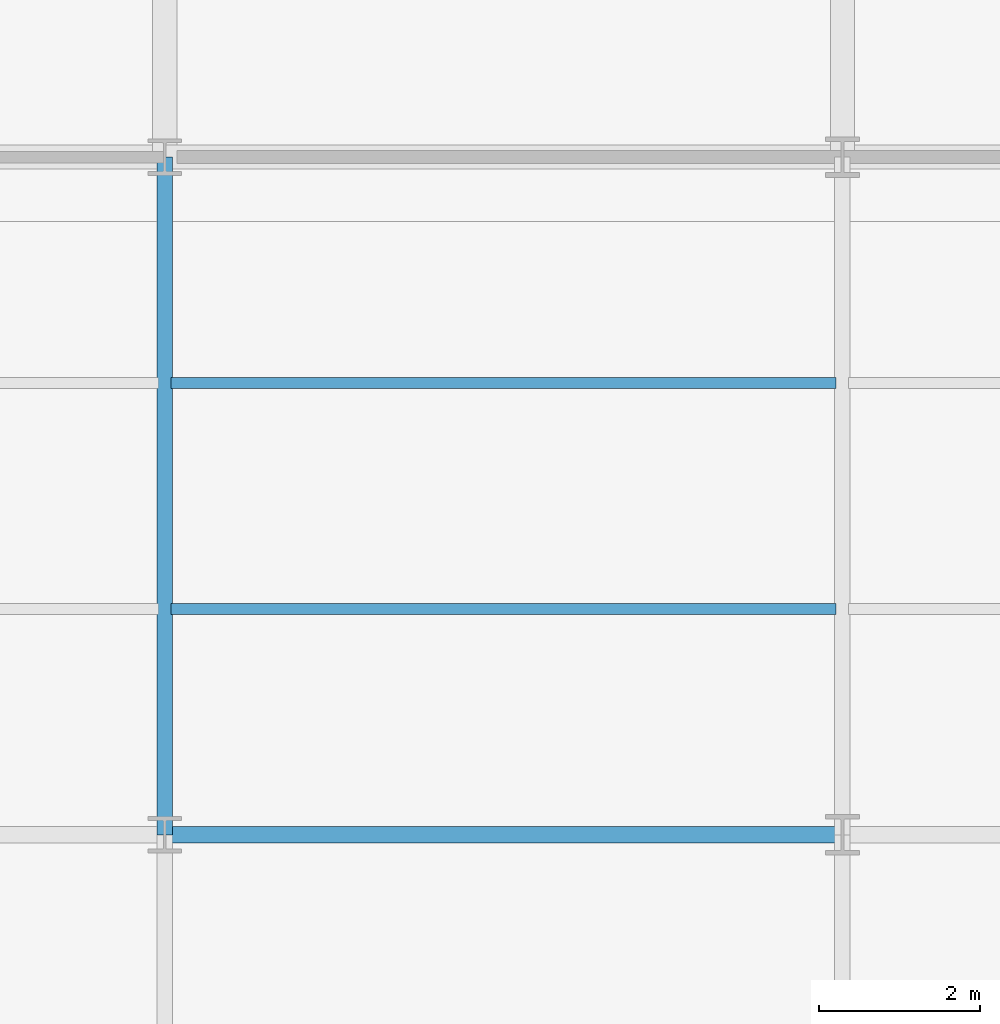
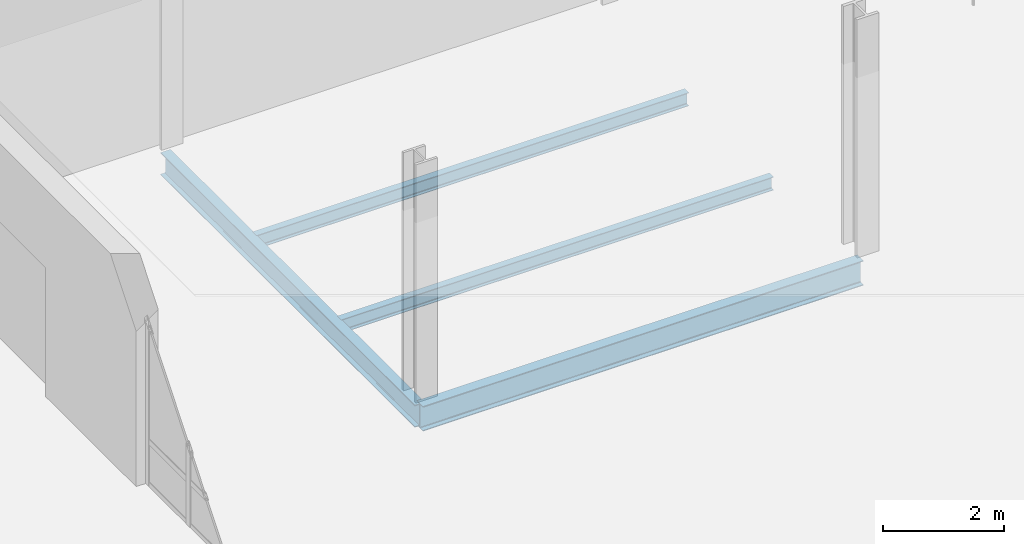
# One storey, part 32 of 145: 4 beams.
"""IFC4 building model written with IfcOpenShell, lengths in metres."""

import ifcopenshell
import ifcopenshell.guid

model = None  # the IFC model being written
_history = None  # IfcOwnerHistory: only IFC2X3 demands one
_inside = {}  # id of a spatial element -> (the spatial element, [elements in it])
_under = {}  # id of a project, library or spatial element -> (it, [spatial elements below it])
_declared = {}  # id of a project -> (the project, [libraries it declares])
_typed = {}  # id of a type object -> (the type object, [elements of that type])
_made_of = {}  # id of a material, layer set ... -> (it, [elements and type objects made of it])


def new_model(schema):
    """Start an empty IFC model of exactly this schema.

    Asked for "IFC4X3", IfcOpenShell would pick the latest addendum, in which some entities
    have other attributes; the version numbers below select the first issue.
    IFC2X3 requires an IfcOwnerHistory on every rooted entity: one is made here for all.
    """
    global model, _history
    if schema == "IFC4X3":
        model = ifcopenshell.file(schema_version=(4, 3, 0, 0))
    else:
        model = ifcopenshell.file(schema=schema)
    _inside.clear()
    _under.clear()
    _declared.clear()
    _typed.clear()
    _made_of.clear()
    _history = None
    if model.schema == "IFC2X3":
        org = make("IfcOrganization", Name="unknown")
        user = make(
            "IfcPersonAndOrganization",
            ThePerson=make("IfcPerson", FamilyName="unknown"),
            TheOrganization=org,
        )
        app = make(
            "IfcApplication",
            ApplicationDeveloper=org,
            Version="unknown",
            ApplicationFullName="unknown",
            ApplicationIdentifier="unknown",
        )
        _history = make(
            "IfcOwnerHistory",
            OwningUser=user,
            OwningApplication=app,
            ChangeAction="ADDED",
            CreationDate=0,
        )
    return model


def make(cls, **values):
    """One entity of the class cls with the attributes given. An attribute that is None is left unset."""
    return model.create_entity(
        cls, **{name: value for name, value in values.items() if value is not None}
    )


def rooted(cls, **values):
    """An entity with a GlobalId (a new one), such as an element, a storey or a relation."""
    return make(cls, GlobalId=ifcopenshell.guid.new(), OwnerHistory=_history, **values)


def si_unit(unit_type, name, prefix=None):
    """IfcSIUnit, for example si_unit("LENGTHUNIT", "METRE", prefix="MILLI")."""
    return make("IfcSIUnit", UnitType=unit_type, Prefix=prefix, Name=name)


def assignment(units):
    """IfcUnitAssignment: the units of a project."""
    return None if units is None else make("IfcUnitAssignment", Units=units)


def point(xyz):
    """IfcCartesianPoint."""
    return None if xyz is None else make("IfcCartesianPoint", Coordinates=xyz)


def direction(xyz):
    """IfcDirection."""
    return None if xyz is None else make("IfcDirection", DirectionRatios=xyz)


def frame(location, z_axis=None, x_axis=None):
    """IfcAxis2Placement3D, a coordinate frame: its origin and axes. An axis left out is left unset."""
    return make(
        "IfcAxis2Placement3D",
        Location=point(location),
        Axis=direction(z_axis),
        RefDirection=direction(x_axis),
    )


def frame_2d(location, x_axis=None):
    """IfcAxis2Placement2D, a coordinate frame in the plane: its origin and x axis."""
    return make(
        "IfcAxis2Placement2D", Location=point(location), RefDirection=direction(x_axis)
    )


def origin():
    """The frame at (0, 0, 0) with its axes left unset."""
    return frame((0.0, 0.0, 0.0))


def origin_2d():
    """The frame at (0, 0) in the plane with its x axis left unset."""
    return frame_2d((0.0, 0.0))


def place(relative_to, where):
    """IfcLocalPlacement: puts the frame where relative to a parent placement (None: the world)."""
    return make(
        "IfcLocalPlacement", PlacementRelTo=relative_to, RelativePlacement=where
    )


def context(
    kind, dimensions, precision=None, world=None, true_north=None, identifier=None
):
    """IfcGeometricRepresentationContext, for example the 3D "Model" context."""
    return make(
        "IfcGeometricRepresentationContext",
        ContextIdentifier=identifier,
        ContextType=kind,
        CoordinateSpaceDimension=dimensions,
        Precision=precision,
        WorldCoordinateSystem=world,
        TrueNorth=true_north,
    )


def subcontext(parent, identifier, kind, view, scale=None):
    """IfcGeometricRepresentationSubContext, for example "Body" below "Model"."""
    return make(
        "IfcGeometricRepresentationSubContext",
        ContextIdentifier=identifier,
        ContextType=kind,
        ParentContext=parent,
        TargetScale=scale,
        TargetView=view,
    )


def project(units=None, contexts=None):
    """IfcProject with its units and contexts."""
    return rooted(
        "IfcProject",
        Name="project",
        RepresentationContexts=contexts,
        UnitsInContext=assignment(units),
    )


def spatial(cls, under=None, at=None, **own):
    """A site, building, storey or space (cls), placed at a placement, below another one or the project."""
    s = rooted(cls, ObjectPlacement=at, **own)
    if under is not None:
        _under.setdefault(under.id(), (under, []))[1].append(s)
    return s


def profile(cls, at=None, kind="AREA", **sizes):
    """A parametric profile (cls). Its sizes go by their IFC names, for example OverallWidth=200.0."""
    return make(cls, ProfileType=kind, Position=at, **sizes)


def i_section(**sizes):
    """IfcIShapeProfileDef."""
    return profile("IfcIShapeProfileDef", **sizes)


def extrude(swept, where, along, depth):
    """IfcExtrudedAreaSolid: the profile swept, set in the frame where, extruded along a direction by depth."""
    return make(
        "IfcExtrudedAreaSolid",
        SweptArea=swept,
        Position=where,
        ExtrudedDirection=direction(along),
        Depth=depth,
    )


def shape(context_of_items, identifier, shape_type, items):
    """IfcShapeRepresentation: the items that make up one representation, for example the "Body"."""
    return make(
        "IfcShapeRepresentation",
        ContextOfItems=context_of_items,
        RepresentationIdentifier=identifier,
        RepresentationType=shape_type,
        Items=items,
    )


def material(Name=None, Category=None):
    """IfcMaterial."""
    return make("IfcMaterial", Name=Name, Category=Category)


def material_profile(
    of_material, cross_section, Name=None, Category=None, Priority=None
):
    """IfcMaterialProfile: a cross section and its material."""
    return make(
        "IfcMaterialProfile",
        Name=Name,
        Material=of_material,
        Profile=cross_section,
        Priority=Priority,
        Category=Category,
    )


def profile_set(profiles, Name=None, composite=None):
    """IfcMaterialProfileSet."""
    return make(
        "IfcMaterialProfileSet",
        Name=Name,
        MaterialProfiles=profiles,
        CompositeProfile=composite,
    )


def made_of(thing, what):
    """Note that an element or type object is made of a material, layer set ...; save() writes the relation."""
    if what is not None:
        _made_of.setdefault(what.id(), (what, []))[1].append(thing)
    return thing


def type_object(cls, material=None, **own):
    """A type object (cls), such as IfcWallType, which elements share."""
    return made_of(rooted(cls, **own), material)


def element(
    cls,
    number,
    at=None,
    inside=None,
    cuts=None,
    type_object=None,
    material=None,
    context=None,
    identifier="Body",
    shape_type=None,
    held_by="IfcProductDefinitionShape",
    body=None,
    shapes=None,
    **own,
):
    """One element of the class cls, such as IfcWall. Its Tag is "e" and its number.

    at: its placement. inside: the storey or other place that contains it. cuts: it is an
    opening in that element (IfcRelVoidsElement). A single representation is given by context,
    identifier, shape_type and body (its items); several are given by shapes. held_by: the class
    of the entity that holds the representations. save() writes the other relations.
    """
    e = rooted(cls, Tag="e%d" % number, ObjectPlacement=at, **own)
    if body is not None:
        shapes = [shape(context, identifier, shape_type, body)]
    if shapes is not None:
        e.Representation = make(held_by, Representations=shapes)
    if inside is not None:
        _inside.setdefault(inside.id(), (inside, []))[1].append(e)
    if cuts is not None:
        rooted(
            "IfcRelVoidsElement", RelatingBuildingElement=cuts, RelatedOpeningElement=e
        )
    if type_object is not None:
        _typed.setdefault(type_object.id(), (type_object, []))[1].append(e)
    return made_of(e, material)


def aggregate(whole, parts):
    """IfcRelAggregates: a whole, such as a stair, and the parts it consists of."""
    return rooted("IfcRelAggregates", RelatingObject=whole, RelatedObjects=parts)


def save(model, path):
    """Write the relations noted so far, then the file.

    IfcRelAggregates (storeys below a building ...), IfcRelContainedInSpatialStructure (elements
    in a storey), IfcRelDefinesByType, IfcRelAssociatesMaterial and IfcRelDeclares: one each for
    every whole, place, type object, material and project.
    """
    for whole, parts in _under.values():
        aggregate(whole, parts)
    for where, things in _inside.values():
        rooted(
            "IfcRelContainedInSpatialStructure",
            RelatedElements=things,
            RelatingStructure=where,
        )
    for kind, things in _typed.values():
        rooted("IfcRelDefinesByType", RelatedObjects=things, RelatingType=kind)
    for what, things in _made_of.values():
        rooted("IfcRelAssociatesMaterial", RelatedObjects=things, RelatingMaterial=what)
    for by, libraries in _declared.values():
        rooted("IfcRelDeclares", RelatingContext=by, RelatedDefinitions=libraries)
    model.write(path)


model = new_model("IFC4")

# Units and contexts
model_context = context("Model", 3, precision=1e-05, world=origin(), true_north=direction((0.0, 1.0)))
body_context = subcontext(model_context, "Body", "Model", "MODEL_VIEW")
ifc_project = project(units=[si_unit("LENGTHUNIT", "METRE"), si_unit("AREAUNIT", "SQUARE_METRE"), si_unit("VOLUMEUNIT", "CUBIC_METRE"), si_unit("PLANEANGLEUNIT", "RADIAN"), si_unit("MASSUNIT", "GRAM", prefix="KILO")], contexts=[model_context])

# Site, building, storey
site_placement = place(None, origin())
site = spatial("IfcSite", under=ifc_project, at=site_placement, CompositionType="ELEMENT")
building_placement = place(site_placement, origin())
building = spatial("IfcBuilding", under=site, at=building_placement, Name="Qalvenar Corner Mobility Hub", CompositionType="ELEMENT")
storey_placement = place(building_placement, origin())
storey = spatial("IfcBuildingStorey", under=building, at=storey_placement, Name="L00", CompositionType="ELEMENT", Elevation=0.0)

# Beams
ifc_material = material(Name="Steel S355", Category="steel")
ifc_material_profile_1 = material_profile(ifc_material, i_section(OverallWidth=0.18994140625, OverallDepth=0.449951171875, WebThickness=0.009521484375, FlangeThickness=0.0146484375, FilletRadius=0.02099609375, at=origin_2d()), Name="IPE450")
ifc_profile_set_1 = profile_set([ifc_material_profile_1], Name="Steel S355")
beam_type_1 = type_object("IfcBeamType", Name="BM-IPE450", PredefinedType="BEAM", material=ifc_profile_set_1)
beam_1_placement = place(storey_placement, frame((8.39990234375, 33.60009765625, -0.445068359375), z_axis=(0.0, 1.0, 0.0), x_axis=(-1.0, 0.0, 0.0)))
element("IfcBeam", 1, at=beam_1_placement, inside=storey, type_object=beam_type_1, Name="Primary Steel Girder GY-0046", PredefinedType="BEAM", context=body_context, shape_type="SweptSolid", body=[
    extrude(i_section(OverallWidth=0.18994140625, OverallDepth=0.449951171875, WebThickness=0.009521484375, FlangeThickness=0.0146484375, FilletRadius=0.02099609375, at=origin_2d()), origin(), (0.0, 0.0, 1.0), 8.39990234375),
])
ifc_material_profile_2 = material_profile(ifc_material, i_section(OverallWidth=0.199951171875, OverallDepth=0.5, WebThickness=0.01025390625, FlangeThickness=0.01611328125, FilletRadius=0.02099609375, at=origin_2d()), Name="IPE500")
ifc_profile_set_2 = profile_set([ifc_material_profile_2], Name="Steel S355")
beam_type_2 = type_object("IfcBeamType", Name="BM-IPE500", PredefinedType="BEAM", material=ifc_profile_set_2)
beam_2_placement = place(storey_placement, frame((8.39990234375, 33.60009765625, -0.469970703125), z_axis=(1.0, 0.0, 0.0), x_axis=(0.0, 1.0, 0.0)))
element("IfcBeam", 2, at=beam_2_placement, inside=storey, type_object=beam_type_2, Name="Primary Steel Girder GX-0026", PredefinedType="BEAM", context=body_context, shape_type="SweptSolid", body=[
    extrude(i_section(OverallWidth=0.199951171875, OverallDepth=0.5, WebThickness=0.01025390625, FlangeThickness=0.01611328125, FilletRadius=0.02099609375, at=origin_2d()), origin(), (0.0, 0.0, 1.0), 8.400146484375),
])
ifc_material_profile_3 = material_profile(ifc_material, i_section(OverallWidth=0.135009765625, OverallDepth=0.27001953125, WebThickness=0.006591796875, FlangeThickness=0.01025390625, FilletRadius=0.014892578125, at=origin_2d()), Name="IPE270")
ifc_profile_set_3 = profile_set([ifc_material_profile_3], Name="Steel S355")
beam_type_3 = type_object("IfcBeamType", Name="BM-JST270", PredefinedType="JOIST", material=ifc_profile_set_3)
for number, where, z_axis, x_axis, name in (
    (3, (8.47802734375, 36.39990234375, -0.35498046875), (1.0, 0.0, 0.0), (0.0, 1.0, 0.0), "Composite Floor Joist J-0089"),
    (4, (8.47802734375, 39.199951171875, -0.35498046875), (1.0, 0.0, 0.0), (0.0, 1.0, 0.0), "Composite Floor Joist J-0090"),
):
    element("IfcBeam", number, at=place(storey_placement, frame(where, z_axis=z_axis, x_axis=x_axis)), inside=storey, type_object=beam_type_3, Name=name, PredefinedType="JOIST", context=body_context, shape_type="SweptSolid", body=[
        extrude(i_section(OverallWidth=0.135009765625, OverallDepth=0.27001953125, WebThickness=0.006591796875, FlangeThickness=0.01025390625, FilletRadius=0.014892578125, at=origin_2d()), origin(), (0.0, 0.0, 1.0), 8.243896484375),
    ])

save(model, "model.ifc")
